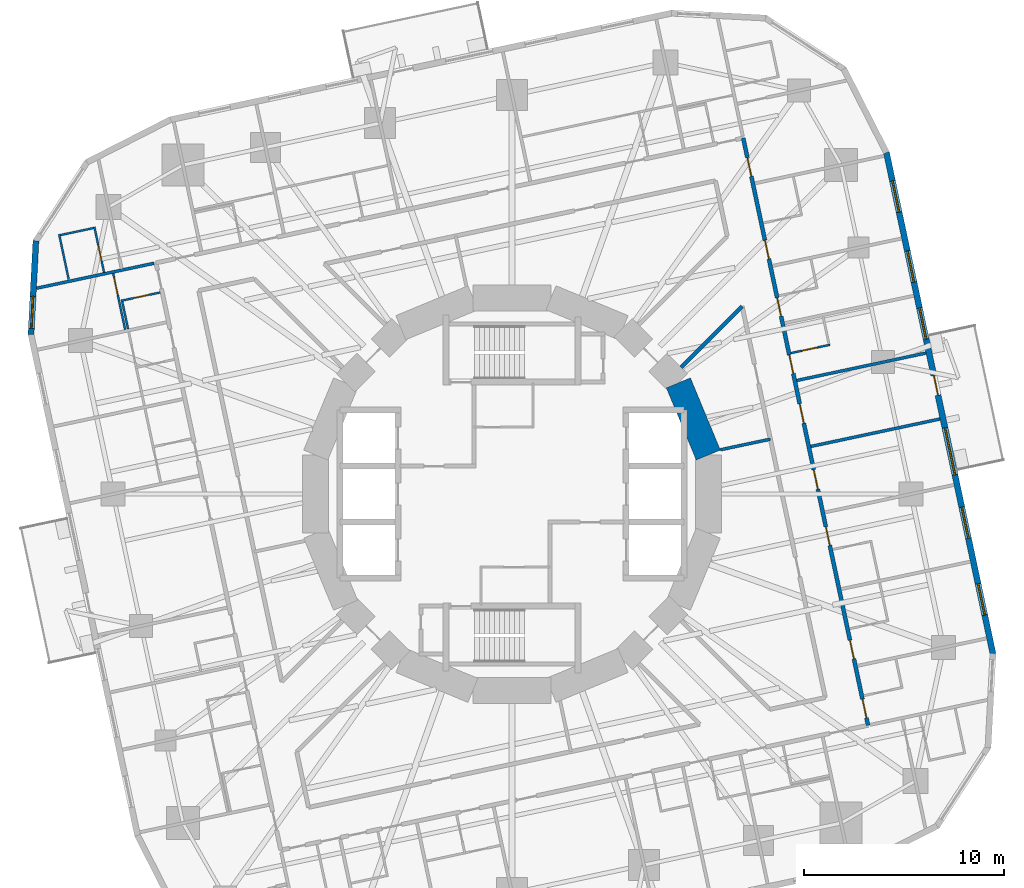
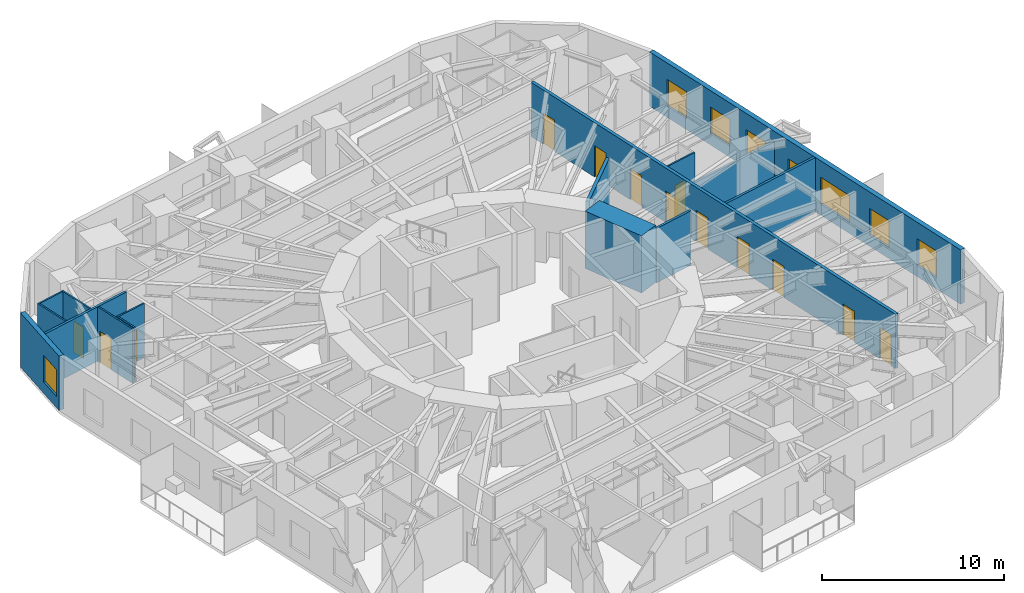
# One storey, part 9 of 14: 16 walls, 14 doors, 7 windows, 21 openings.
"""IFC4 building model written with IfcOpenShell, lengths in metres."""

from ifc_helpers import new_model, si_unit, direction, frame, frame_2d, origin, place, context, subcontext, project, spatial, rectangle, extrude, material, layer, layer_set, type_object, element, fill, save


model = new_model("IFC4")

# Units and contexts
model_context = context("Model", 3, precision=1e-05, world=origin(), true_north=direction((0.0, 1.0)))
body_context = subcontext(model_context, "Body", "Model", "MODEL_VIEW")
ifc_project = project(units=[si_unit("LENGTHUNIT", "METRE"), si_unit("AREAUNIT", "SQUARE_METRE"), si_unit("VOLUMEUNIT", "CUBIC_METRE"), si_unit("PLANEANGLEUNIT", "RADIAN"), si_unit("MASSUNIT", "GRAM", prefix="KILO")], contexts=[model_context])

# Site, building, storey
site_placement = place(None, origin())
site = spatial("IfcSite", under=ifc_project, at=site_placement, CompositionType="ELEMENT")
building_placement = place(site_placement, origin())
building = spatial("IfcBuilding", under=site, at=building_placement, Name="Nakasero Lantern House", CompositionType="ELEMENT")
storey_placement = place(building_placement, frame((0.0, 0.0, 120.39990234375)))
storey = spatial("IfcBuildingStorey", under=building, at=storey_placement, Name="L29", CompositionType="ELEMENT", Elevation=120.39990234375)

# Wall
ifc_material_1 = material(Name="Concrete C50/60", Category="concrete")
ifc_layer_1 = layer(ifc_material_1, 1.300048828125)
ifc_layer_set_1 = layer_set([ifc_layer_1], Name="Core wall 1300")
wall_type_1 = type_object("IfcWallType", Name="Core wall 1300", PredefinedType="SHEAR", material=ifc_layer_set_1)
wall_1_placement = place(storey_placement, frame((9.807861328125, 1.950927734375, 0.0), z_axis=(0.0, 0.0, 1.0), x_axis=(-0.382690736062, 0.923876507187, 0.0)))
element("IfcWall", 1, at=wall_1_placement, inside=storey, type_object=wall_type_1, Name="Core wall L29 facet 1", PredefinedType="SHEAR", context=body_context, shape_type="SweptSolid", body=[
    extrude(rectangle(XDim=3.90185546875, YDim=1.300048828125, at=frame_2d((1.950927734375, 0.0))), origin(), (0.0, 0.0, 1.0), 3.85009765625),
])

# Wall, openings, doors
ifc_material_2 = material(Name="Blockwork", Category="masonry")
ifc_layer_2 = layer(ifc_material_2, 0.199951171875)
ifc_layer_set_2 = layer_set([ifc_layer_2], Name="Corridor wall 200")
wall_type_2 = type_object("IfcWallType", Name="Corridor wall 200", PredefinedType="PARTITIONING", material=ifc_layer_set_2)
wall_2_placement = place(storey_placement, frame((17.790771484375, -11.553466796875, 0.0), z_axis=(0.0, 0.0, 1.0), x_axis=(-0.207911508826, 0.978147639417, 0.0)))
wall_2 = element("IfcWall", 2, at=wall_2_placement, inside=storey, type_object=wall_type_2, Name="Corridor wall L29 CW0", PredefinedType="PARTITIONING", context=body_context, shape_type="SweptSolid", body=[
    extrude(rectangle(XDim=29.999755859375, YDim=0.199951171875, at=frame_2d((15.0, 0.0))), origin(), (0.0, 0.0, 1.0), 3.650146484375),
])
opening_1_placement = place(wall_2_placement, frame((0.375, 0.0, 0.0)))
opening_1 = element("IfcOpeningElement", 3, at=opening_1_placement, cuts=wall_2, Name="Opening D01", PredefinedType="OPENING", context=body_context, shape_type="SweptSolid", body=[
    extrude(rectangle(XDim=0.949951171875, YDim=2.10009765625, at=frame_2d((0.47509765625, 1.050048828125))), frame((0.0, 0.119873046875, 0.0), z_axis=(0.0, -1.0, 0.0), x_axis=(1.0, 0.0, 0.0)), (0.0, 0.0, 1.0), 0.239990234375),
])
opening_2_placement = place(wall_2_placement, frame((3.39111328125, 0.0, 0.0)))
opening_2 = element("IfcOpeningElement", 4, at=opening_2_placement, cuts=wall_2, Name="Opening D01", PredefinedType="OPENING", context=body_context, shape_type="SweptSolid", body=[
    extrude(rectangle(XDim=0.949951171875, YDim=2.10009765625, at=frame_2d((0.47509765625, 1.050048828125))), frame((0.0, 0.119873046875, 0.0), z_axis=(0.0, -1.0, 0.0), x_axis=(1.0, 0.0, 0.0)), (0.0, 0.0, 1.0), 0.239990234375),
])
opening_3_placement = place(wall_2_placement, frame((9.185546875, 0.0, 0.0)))
opening_3 = element("IfcOpeningElement", 5, at=opening_3_placement, cuts=wall_2, Name="Opening D01", PredefinedType="OPENING", context=body_context, shape_type="SweptSolid", body=[
    extrude(rectangle(XDim=0.949951171875, YDim=2.10009765625, at=frame_2d((0.47509765625, 1.050048828125))), frame((0.0, 0.119873046875, 0.0), z_axis=(0.0, -1.0, 0.0), x_axis=(1.0, 0.0, 0.0)), (0.0, 0.0, 1.0), 0.239990234375),
])
opening_4_placement = place(wall_2_placement, frame((17.967529296875, 0.0, 0.0)))
opening_4 = element("IfcOpeningElement", 6, at=opening_4_placement, cuts=wall_2, Name="Opening D01", PredefinedType="OPENING", context=body_context, shape_type="SweptSolid", body=[
    extrude(rectangle(XDim=0.949951171875, YDim=2.10009765625, at=frame_2d((0.47509765625, 1.050048828125))), frame((0.0, 0.119873046875, 0.0), z_axis=(0.0, -1.0, 0.0), x_axis=(1.0, 0.0, 0.0)), (0.0, 0.0, 1.0), 0.239990234375),
])
opening_5_placement = place(wall_2_placement, frame((20.89404296875, 0.0, 0.0)))
opening_5 = element("IfcOpeningElement", 7, at=opening_5_placement, cuts=wall_2, Name="Opening D01", PredefinedType="OPENING", context=body_context, shape_type="SweptSolid", body=[
    extrude(rectangle(XDim=0.949951171875, YDim=2.10009765625, at=frame_2d((0.47509765625, 1.050048828125))), frame((0.0, 0.119873046875, 0.0), z_axis=(0.0, -1.0, 0.0), x_axis=(1.0, 0.0, 0.0)), (0.0, 0.0, 1.0), 0.239990234375),
])
opening_6_placement = place(wall_2_placement, frame((23.8203125, 0.0, 0.0)))
opening_6 = element("IfcOpeningElement", 8, at=opening_6_placement, cuts=wall_2, Name="Opening D01", PredefinedType="OPENING", context=body_context, shape_type="SweptSolid", body=[
    extrude(rectangle(XDim=0.949951171875, YDim=2.10009765625, at=frame_2d((0.47509765625, 1.050048828125))), frame((0.0, 0.119873046875, 0.0), z_axis=(0.0, -1.0, 0.0), x_axis=(1.0, 0.0, 0.0)), (0.0, 0.0, 1.0), 0.239990234375),
])
opening_7_placement = place(wall_2_placement, frame((28.038330078125, 0.0, 0.0)))
opening_7 = element("IfcOpeningElement", 9, at=opening_7_placement, cuts=wall_2, Name="Opening D01", PredefinedType="OPENING", context=body_context, shape_type="SweptSolid", body=[
    extrude(rectangle(XDim=0.949951171875, YDim=2.10009765625, at=frame_2d((0.47509765625, 1.050048828125))), frame((0.0, 0.119873046875, 0.0), z_axis=(0.0, -1.0, 0.0), x_axis=(1.0, 0.0, 0.0)), (0.0, 0.0, 1.0), 0.239990234375),
])
opening_8_placement = place(wall_2_placement, frame((12.05517578125, 0.0, 0.0)))
opening_8 = element("IfcOpeningElement", 10, at=opening_8_placement, cuts=wall_2, Name="Opening D03", PredefinedType="OPENING", context=body_context, shape_type="SweptSolid", body=[
    extrude(rectangle(XDim=1.0, YDim=2.10009765625, at=frame_2d((0.5, 1.050048828125))), frame((0.0, 0.119873046875, 0.0), z_axis=(0.0, -1.0, 0.0), x_axis=(1.0, 0.0, 0.0)), (0.0, 0.0, 1.0), 0.239990234375),
])
opening_9_placement = place(wall_2_placement, frame((15.423828125, 0.0, 0.0)))
opening_9 = element("IfcOpeningElement", 11, at=opening_9_placement, cuts=wall_2, Name="Opening D03", PredefinedType="OPENING", context=body_context, shape_type="SweptSolid", body=[
    extrude(rectangle(XDim=1.0, YDim=2.10009765625, at=frame_2d((0.5, 1.050048828125))), frame((0.0, 0.119873046875, 0.0), z_axis=(0.0, -1.0, 0.0), x_axis=(1.0, 0.0, 0.0)), (0.0, 0.0, 1.0), 0.239990234375),
])
ifc_material_3 = material(Name="Timber C24", Category="wood")
door_type_1 = type_object("IfcDoorType", Name="Bedroom door FD30S 950", OperationType="SINGLE_SWING_LEFT", PredefinedType="DOOR", material=ifc_material_3)
door_1_placement = place(opening_1_placement, origin())
door_1 = element("IfcDoor", 12, at=door_1_placement, inside=storey, type_object=door_type_1, Name="Door L29 D0-00", OperationType="SINGLE_SWING_LEFT", OverallHeight=2.10009765625, OverallWidth=0.949951171875, PredefinedType="DOOR", context=body_context, shape_type="SweptSolid", body=[
    extrude(rectangle(XDim=0.949951171875, YDim=2.10009765625, at=frame_2d((0.47509765625, 1.050048828125))), frame((0.0, 0.02490234375, 0.0), z_axis=(0.0, -1.0, 0.0), x_axis=(1.0, 0.0, 0.0)), (0.0, 0.0, 1.0), 0.050048828125),
])
fill(opening_1, door_1)
door_2_placement = place(opening_2_placement, origin())
door_2 = element("IfcDoor", 13, at=door_2_placement, inside=storey, type_object=door_type_1, Name="Door L29 D0-01", OperationType="SINGLE_SWING_LEFT", OverallHeight=2.10009765625, OverallWidth=0.949951171875, PredefinedType="DOOR", context=body_context, shape_type="SweptSolid", body=[
    extrude(rectangle(XDim=0.949951171875, YDim=2.10009765625, at=frame_2d((0.47509765625, 1.050048828125))), frame((0.0, 0.02490234375, 0.0), z_axis=(0.0, -1.0, 0.0), x_axis=(1.0, 0.0, 0.0)), (0.0, 0.0, 1.0), 0.050048828125),
])
fill(opening_2, door_2)
door_3_placement = place(opening_3_placement, origin())
door_3 = element("IfcDoor", 14, at=door_3_placement, inside=storey, type_object=door_type_1, Name="Door L29 D0-02", OperationType="SINGLE_SWING_LEFT", OverallHeight=2.10009765625, OverallWidth=0.949951171875, PredefinedType="DOOR", context=body_context, shape_type="SweptSolid", body=[
    extrude(rectangle(XDim=0.949951171875, YDim=2.10009765625, at=frame_2d((0.47509765625, 1.050048828125))), frame((0.0, 0.02490234375, 0.0), z_axis=(0.0, -1.0, 0.0), x_axis=(1.0, 0.0, 0.0)), (0.0, 0.0, 1.0), 0.050048828125),
])
fill(opening_3, door_3)
door_4_placement = place(opening_4_placement, origin())
door_4 = element("IfcDoor", 15, at=door_4_placement, inside=storey, type_object=door_type_1, Name="Door L29 D0-05", OperationType="SINGLE_SWING_RIGHT", OverallHeight=2.10009765625, OverallWidth=0.949951171875, PredefinedType="DOOR", context=body_context, shape_type="SweptSolid", body=[
    extrude(rectangle(XDim=0.949951171875, YDim=2.10009765625, at=frame_2d((0.47509765625, 1.050048828125))), frame((0.0, 0.02490234375, 0.0), z_axis=(0.0, -1.0, 0.0), x_axis=(1.0, 0.0, 0.0)), (0.0, 0.0, 1.0), 0.050048828125),
])
fill(opening_4, door_4)
door_5_placement = place(opening_5_placement, origin())
door_5 = element("IfcDoor", 16, at=door_5_placement, inside=storey, type_object=door_type_1, Name="Door L29 D0-06", OperationType="SINGLE_SWING_RIGHT", OverallHeight=2.10009765625, OverallWidth=0.949951171875, PredefinedType="DOOR", context=body_context, shape_type="SweptSolid", body=[
    extrude(rectangle(XDim=0.949951171875, YDim=2.10009765625, at=frame_2d((0.47509765625, 1.050048828125))), frame((0.0, 0.02490234375, 0.0), z_axis=(0.0, -1.0, 0.0), x_axis=(1.0, 0.0, 0.0)), (0.0, 0.0, 1.0), 0.050048828125),
])
fill(opening_5, door_5)
door_6_placement = place(opening_6_placement, origin())
door_6 = element("IfcDoor", 17, at=door_6_placement, inside=storey, type_object=door_type_1, Name="Door L29 D0-07", OperationType="SINGLE_SWING_RIGHT", OverallHeight=2.10009765625, OverallWidth=0.949951171875, PredefinedType="DOOR", context=body_context, shape_type="SweptSolid", body=[
    extrude(rectangle(XDim=0.949951171875, YDim=2.10009765625, at=frame_2d((0.47509765625, 1.050048828125))), frame((0.0, 0.02490234375, 0.0), z_axis=(0.0, -1.0, 0.0), x_axis=(1.0, 0.0, 0.0)), (0.0, 0.0, 1.0), 0.050048828125),
])
fill(opening_6, door_6)
door_7_placement = place(opening_7_placement, origin())
door_7 = element("IfcDoor", 18, at=door_7_placement, inside=storey, type_object=door_type_1, Name="Door L29 D0-08", OperationType="SINGLE_SWING_RIGHT", OverallHeight=2.10009765625, OverallWidth=0.949951171875, PredefinedType="DOOR", context=body_context, shape_type="SweptSolid", body=[
    extrude(rectangle(XDim=0.949951171875, YDim=2.10009765625, at=frame_2d((0.47509765625, 1.050048828125))), frame((0.0, 0.02490234375, 0.0), z_axis=(0.0, -1.0, 0.0), x_axis=(1.0, 0.0, 0.0)), (0.0, 0.0, 1.0), 0.050048828125),
])
fill(opening_7, door_7)
ifc_material_4 = material(Name="Timber C24", Category="wood")
door_type_2 = type_object("IfcDoorType", Name="Lounge door FD30S 1000", OperationType="SINGLE_SWING_LEFT", PredefinedType="DOOR", material=ifc_material_4)
door_8_placement = place(opening_8_placement, origin())
door_8 = element("IfcDoor", 19, at=door_8_placement, inside=storey, type_object=door_type_2, Name="Door L29 DK0", OperationType="SINGLE_SWING_LEFT", OverallHeight=2.10009765625, OverallWidth=1.0, PredefinedType="DOOR", context=body_context, shape_type="SweptSolid", body=[
    extrude(rectangle(XDim=1.0, YDim=2.10009765625, at=frame_2d((0.5, 1.050048828125))), frame((0.0, 0.02490234375, 0.0), z_axis=(0.0, -1.0, 0.0), x_axis=(1.0, 0.0, 0.0)), (0.0, 0.0, 1.0), 0.050048828125),
])
fill(opening_8, door_8)
door_9_placement = place(opening_9_placement, origin())
door_9 = element("IfcDoor", 20, at=door_9_placement, inside=storey, type_object=door_type_2, Name="Door L29 DK0-1", OperationType="SINGLE_SWING_RIGHT", OverallHeight=2.10009765625, OverallWidth=1.0, PredefinedType="DOOR", context=body_context, shape_type="SweptSolid", body=[
    extrude(rectangle(XDim=1.0, YDim=2.10009765625, at=frame_2d((0.5, 1.050048828125))), frame((0.0, 0.02490234375, 0.0), z_axis=(0.0, -1.0, 0.0), x_axis=(1.0, 0.0, 0.0)), (0.0, 0.0, 1.0), 0.050048828125),
])
fill(opening_9, door_9)

# Wall
wall_3_placement = place(storey_placement, frame((8.45556640625, 6.334228515625, 0.0), z_axis=(0.0, 0.0, 1.0), x_axis=(0.707106781187, 0.707106781187, 0.0)))
element("IfcWall", 21, at=wall_3_placement, inside=storey, type_object=wall_type_2, Name="Corridor wall L29 PS02b", PredefinedType="PARTITIONING", context=body_context, shape_type="SweptSolid", body=[
    extrude(rectangle(XDim=4.30712890625, YDim=0.199951171875, at=frame_2d((2.153564453125, 0.0))), origin(), (0.0, 0.0, 1.0), 3.650146484375),
])

# Wall, opening, door
ifc_material_5 = material(Name="Blockwork", Category="masonry")
ifc_layer_3 = layer(ifc_material_5, 0.10009765625)
ifc_layer_set_3 = layer_set([ifc_layer_3], Name="En-suite wall 100")
wall_type_3 = type_object("IfcWallType", Name="En-suite wall 100", PredefinedType="PARTITIONING", material=ifc_layer_set_3)
wall_4_placement = place(storey_placement, frame((13.939697265625, 7.046142578125, 0.0), z_axis=(0.0, 0.0, 1.0), x_axis=(0.978152955943, 0.207886494942, 0.0)))
wall_4 = element("IfcWall", 22, at=wall_4_placement, inside=storey, type_object=wall_type_3, Name="En-suite wall L29 ES0-05", PredefinedType="PARTITIONING", context=body_context, shape_type="SweptSolid", body=[
    extrude(rectangle(XDim=2.0, YDim=0.10009765625, at=frame_2d((1.0, 0.0))), origin(), (0.0, 0.0, 1.0), 3.650146484375),
])
opening_10_placement = place(wall_4_placement, frame((0.550048828125, 0.0, 0.0)))
opening_10 = element("IfcOpeningElement", 23, at=opening_10_placement, cuts=wall_4, Name="Opening D02", PredefinedType="OPENING", context=body_context, shape_type="SweptSolid", body=[
    extrude(rectangle(XDim=0.800048828125, YDim=2.10009765625, at=frame_2d((0.39990234375, 1.050048828125))), frame((0.0, 0.070068359375, 0.0), z_axis=(0.0, -1.0, 0.0), x_axis=(1.0, 0.0, 0.0)), (0.0, 0.0, 1.0), 0.14013671875),
])
ifc_material_6 = material(Name="Timber C24", Category="wood")
door_type_3 = type_object("IfcDoorType", Name="En-suite door 800", OperationType="SINGLE_SWING_RIGHT", PredefinedType="DOOR", material=ifc_material_6)
door_10_placement = place(opening_10_placement, origin())
door_10 = element("IfcDoor", 24, at=door_10_placement, inside=storey, type_object=door_type_3, Name="Door L29 DE0-05", OperationType="SINGLE_SWING_LEFT", OverallHeight=2.10009765625, OverallWidth=0.800048828125, PredefinedType="DOOR", context=body_context, shape_type="SweptSolid", body=[
    extrude(rectangle(XDim=0.800048828125, YDim=2.10009765625, at=frame_2d((0.39990234375, 1.050048828125))), frame((0.0, 0.02490234375, 0.0), z_axis=(0.0, -1.0, 0.0), x_axis=(1.0, 0.0, 0.0)), (0.0, 0.0, 1.0), 0.050048828125),
])
fill(opening_10, door_10)

wall_5_placement = place(storey_placement, frame((-20.382568359375, 11.069091796875, 0.0), z_axis=(0.0, 0.0, 1.0), x_axis=(-0.207965047255, 0.978136257952, 0.0)))
wall_5 = element("IfcWall", 25, at=wall_5_placement, inside=storey, type_object=wall_type_3, Name="En-suite wall L29 ES1-08", PredefinedType="PARTITIONING", context=body_context, shape_type="SweptSolid", body=[
    extrude(rectangle(XDim=2.3349609375, YDim=0.10009765625, at=frame_2d((1.16748046875, 0.0))), origin(), (0.0, 0.0, 1.0), 3.650146484375),
])
opening_11_placement = place(wall_5_placement, frame((0.5849609375, 0.0, 0.0)))
opening_11 = element("IfcOpeningElement", 26, at=opening_11_placement, cuts=wall_5, Name="Opening D02", PredefinedType="OPENING", context=body_context, shape_type="SweptSolid", body=[
    extrude(rectangle(XDim=0.800048828125, YDim=2.10009765625, at=frame_2d((0.39990234375, 1.050048828125))), frame((0.0, 0.070068359375, 0.0), z_axis=(0.0, -1.0, 0.0), x_axis=(1.0, 0.0, 0.0)), (0.0, 0.0, 1.0), 0.14013671875),
])
door_11_placement = place(opening_11_placement, origin())
door_11 = element("IfcDoor", 27, at=door_11_placement, inside=storey, type_object=door_type_3, Name="Door L29 DE1-08", OperationType="SINGLE_SWING_LEFT", OverallHeight=2.10009765625, OverallWidth=0.800048828125, PredefinedType="DOOR", context=body_context, shape_type="SweptSolid", body=[
    extrude(rectangle(XDim=0.800048828125, YDim=2.10009765625, at=frame_2d((0.39990234375, 1.050048828125))), frame((0.0, 0.02490234375, 0.0), z_axis=(0.0, -1.0, 0.0), x_axis=(1.0, 0.0, 0.0)), (0.0, 0.0, 1.0), 0.050048828125),
])
fill(opening_11, door_11)

# Walls
wall_6_placement = place(storey_placement, frame((-20.906494140625, 13.293701171875, 0.0), z_axis=(0.0, 0.0, 1.0), x_axis=(-0.978168704767, -0.207812379357, 0.0)))
element("IfcWall", 28, at=wall_6_placement, inside=storey, type_object=wall_type_3, Name="En-suite wall L29 EE1-08", PredefinedType="PARTITIONING", context=body_context, shape_type="SweptSolid", body=[
    extrude(rectangle(XDim=1.699951171875, YDim=0.10009765625, at=frame_2d((0.85009765625, 0.0))), origin(), (0.0, 0.0, 1.0), 3.650146484375),
])
wall_7_placement = place(storey_placement, frame((-22.150634765625, 10.72900390625, 0.0), z_axis=(0.0, 0.0, 1.0), x_axis=(-0.207839712757, 0.978162897375, 0.0)))
element("IfcWall", 29, at=wall_7_placement, inside=storey, type_object=wall_type_3, Name="En-suite wall L29 EV1-08", PredefinedType="PARTITIONING", context=body_context, shape_type="SweptSolid", body=[
    extrude(rectangle(XDim=2.300048828125, YDim=0.10009765625, at=frame_2d((1.14990234375, 0.0))), origin(), (0.0, 0.0, 1.0), 3.650146484375),
])

# Wall, opening, door
wall_8_placement = place(storey_placement, frame((-17.57861328125, 10.07421875, 0.0), z_axis=(0.0, 0.0, 1.0), x_axis=(-0.978152955943, -0.207886494942, 0.0)))
wall_8 = element("IfcWall", 30, at=wall_8_placement, inside=storey, type_object=wall_type_3, Name="En-suite wall L29 ES2-00", PredefinedType="PARTITIONING", context=body_context, shape_type="SweptSolid", body=[
    extrude(rectangle(XDim=2.0, YDim=0.10009765625, at=frame_2d((1.0, 0.0))), origin(), (0.0, 0.0, 1.0), 3.650146484375),
])
opening_12_placement = place(wall_8_placement, frame((0.550048828125, 0.0, 0.0)))
opening_12 = element("IfcOpeningElement", 31, at=opening_12_placement, cuts=wall_8, Name="Opening D02", PredefinedType="OPENING", context=body_context, shape_type="SweptSolid", body=[
    extrude(rectangle(XDim=0.800048828125, YDim=2.10009765625, at=frame_2d((0.39990234375, 1.050048828125))), frame((0.0, 0.070068359375, 0.0), z_axis=(0.0, -1.0, 0.0), x_axis=(1.0, 0.0, 0.0)), (0.0, 0.0, 1.0), 0.14013671875),
])
door_12_placement = place(opening_12_placement, origin())
door_12 = element("IfcDoor", 32, at=door_12_placement, inside=storey, type_object=door_type_3, Name="Door L29 DE2-00", OperationType="SINGLE_SWING_LEFT", OverallHeight=2.10009765625, OverallWidth=0.800048828125, PredefinedType="DOOR", context=body_context, shape_type="SweptSolid", body=[
    extrude(rectangle(XDim=0.800048828125, YDim=2.10009765625, at=frame_2d((0.39990234375, 1.050048828125))), frame((0.0, 0.02490234375, 0.0), z_axis=(0.0, -1.0, 0.0), x_axis=(1.0, 0.0, 0.0)), (0.0, 0.0, 1.0), 0.050048828125),
])
fill(opening_12, door_12)

# Wall
wall_9_placement = place(storey_placement, frame((-19.4755859375, 9.619873046875, 0.0), z_axis=(0.0, 0.0, 1.0), x_axis=(0.207873355681, -0.978155748334, 0.0)))
element("IfcWall", 33, at=wall_9_placement, inside=storey, type_object=wall_type_3, Name="En-suite wall L29 EE2-00", PredefinedType="PARTITIONING", context=body_context, shape_type="SweptSolid", body=[
    extrude(rectangle(XDim=1.39990234375, YDim=0.10009765625, at=frame_2d((0.699951171875, 0.0))), origin(), (0.0, 0.0, 1.0), 3.650146484375),
])

# Wall, opening, door
wall_10_placement = place(storey_placement, frame((-19.92724609375, 11.022705078125, 0.0), z_axis=(0.0, 0.0, 1.0), x_axis=(0.207929050419, -0.978143910676, 0.0)))
wall_10 = element("IfcWall", 34, at=wall_10_placement, inside=storey, type_object=wall_type_3, Name="En-suite wall L29 EL2-00", PredefinedType="PARTITIONING", context=body_context, shape_type="SweptSolid", body=[
    extrude(rectangle(XDim=2.8662109375, YDim=0.10009765625, at=frame_2d((1.43310546875, 0.0))), origin(), (0.0, 0.0, 1.0), 3.650146484375),
])
opening_13_placement = place(wall_10_placement, frame((0.199951171875, 0.0, 0.0)))
opening_13 = element("IfcOpeningElement", 35, at=opening_13_placement, cuts=wall_10, Name="Opening D17", PredefinedType="OPENING", context=body_context, shape_type="SweptSolid", body=[
    extrude(rectangle(XDim=0.89990234375, YDim=2.10009765625, at=frame_2d((0.449951171875, 1.050048828125))), frame((0.0, 0.070068359375, 0.0), z_axis=(0.0, -1.0, 0.0), x_axis=(1.0, 0.0, 0.0)), (0.0, 0.0, 1.0), 0.14013671875),
])
ifc_material_7 = material(Name="Timber C24", Category="wood")
door_type_4 = type_object("IfcDoorType", Name="Bedroom door FD30S 900", OperationType="SINGLE_SWING_LEFT", PredefinedType="DOOR", material=ifc_material_7)
door_13_placement = place(opening_13_placement, origin())
door_13 = element("IfcDoor", 36, at=door_13_placement, inside=storey, type_object=door_type_4, Name="Door L29 DL2-00", OperationType="SINGLE_SWING_LEFT", OverallHeight=2.10009765625, OverallWidth=0.89990234375, PredefinedType="DOOR", context=body_context, shape_type="SweptSolid", body=[
    extrude(rectangle(XDim=0.89990234375, YDim=2.10009765625, at=frame_2d((0.449951171875, 1.050048828125))), frame((0.0, 0.02490234375, 0.0), z_axis=(0.0, -1.0, 0.0), x_axis=(1.0, 0.0, 0.0)), (0.0, 0.0, 1.0), 0.050048828125),
])
fill(opening_13, door_13)

# Wall, openings, door, windows
ifc_material_8 = material(Name="Aluminium rainscreen on blockwork", Category="masonry")
ifc_layer_4 = layer(ifc_material_8, 0.300048828125)
ifc_layer_set_4 = layer_set([ifc_layer_4], Name="Facade wall 300")
wall_type_4 = type_object("IfcWallType", Name="Facade wall 300", PredefinedType="SOLIDWALL", material=ifc_layer_set_4)
wall_11_placement = place(storey_placement, frame((24.03369140625, -7.9775390625, 0.0), z_axis=(0.0, 0.0, 1.0), x_axis=(-0.207909055127, 0.978148160964, 0.0)))
wall_11 = element("IfcWall", 37, at=wall_11_placement, inside=storey, type_object=wall_type_4, Name="Facade wall L29 FW0S", PredefinedType="SOLIDWALL", context=body_context, shape_type="SweptSolid", body=[
    extrude(rectangle(XDim=25.60009765625, YDim=0.300048828125, at=frame_2d((12.800048828125, 0.0))), origin(), (0.0, 0.0, 1.0), 3.650146484375),
])
opening_14_placement = place(wall_11_placement, frame((1.975830078125, 0.0, 0.75)))
opening_14 = element("IfcOpeningElement", 38, at=opening_14_placement, cuts=wall_11, Name="Opening W01", PredefinedType="OPENING", context=body_context, shape_type="SweptSolid", body=[
    extrude(rectangle(XDim=1.60009765625, YDim=1.800048828125, at=frame_2d((0.800048828125, 0.89990234375))), frame((0.0, 0.169921875, 0.0), z_axis=(0.0, -1.0, 0.0), x_axis=(1.0, 0.0, 0.0)), (0.0, 0.0, 1.0), 0.340087890625),
])
opening_15_placement = place(wall_11_placement, frame((5.8955078125, 0.0, 0.75)))
opening_15 = element("IfcOpeningElement", 39, at=opening_15_placement, cuts=wall_11, Name="Opening W01", PredefinedType="OPENING", context=body_context, shape_type="SweptSolid", body=[
    extrude(rectangle(XDim=1.60009765625, YDim=1.800048828125, at=frame_2d((0.800048828125, 0.89990234375))), frame((0.0, 0.169921875, 0.0), z_axis=(0.0, -1.0, 0.0), x_axis=(1.0, 0.0, 0.0)), (0.0, 0.0, 1.0), 0.340087890625),
])
opening_16_placement = place(wall_11_placement, frame((16.0556640625, 0.0, 0.75)))
opening_16 = element("IfcOpeningElement", 40, at=opening_16_placement, cuts=wall_11, Name="Opening W01", PredefinedType="OPENING", context=body_context, shape_type="SweptSolid", body=[
    extrude(rectangle(XDim=1.60009765625, YDim=1.800048828125, at=frame_2d((0.800048828125, 0.89990234375))), frame((0.0, 0.169921875, 0.0), z_axis=(0.0, -1.0, 0.0), x_axis=(1.0, 0.0, 0.0)), (0.0, 0.0, 1.0), 0.340087890625),
])
opening_17_placement = place(wall_11_placement, frame((18.982177734375, 0.0, 0.75)))
opening_17 = element("IfcOpeningElement", 41, at=opening_17_placement, cuts=wall_11, Name="Opening W01", PredefinedType="OPENING", context=body_context, shape_type="SweptSolid", body=[
    extrude(rectangle(XDim=1.60009765625, YDim=1.800048828125, at=frame_2d((0.800048828125, 0.89990234375))), frame((0.0, 0.169921875, 0.0), z_axis=(0.0, -1.0, 0.0), x_axis=(1.0, 0.0, 0.0)), (0.0, 0.0, 1.0), 0.340087890625),
])
opening_18_placement = place(wall_11_placement, frame((22.554443359375, 0.0, 0.75)))
opening_18 = element("IfcOpeningElement", 42, at=opening_18_placement, cuts=wall_11, Name="Opening W01", PredefinedType="OPENING", context=body_context, shape_type="SweptSolid", body=[
    extrude(rectangle(XDim=1.60009765625, YDim=1.800048828125, at=frame_2d((0.800048828125, 0.89990234375))), frame((0.0, 0.169921875, 0.0), z_axis=(0.0, -1.0, 0.0), x_axis=(1.0, 0.0, 0.0)), (0.0, 0.0, 1.0), 0.340087890625),
])
opening_19_placement = place(wall_11_placement, frame((9.139404296875, 0.0, 0.75)))
opening_19 = element("IfcOpeningElement", 43, at=opening_19_placement, cuts=wall_11, Name="Opening W03", PredefinedType="OPENING", context=body_context, shape_type="SweptSolid", body=[
    extrude(rectangle(XDim=2.39990234375, YDim=1.800048828125, at=frame_2d((1.199951171875, 0.89990234375))), frame((0.0, 0.169921875, 0.0), z_axis=(0.0, -1.0, 0.0), x_axis=(1.0, 0.0, 0.0)), (0.0, 0.0, 1.0), 0.340087890625),
])
opening_20_placement = place(wall_11_placement, frame((13.208251953125, 0.0, 0.0)))
opening_20 = element("IfcOpeningElement", 44, at=opening_20_placement, cuts=wall_11, Name="Opening D04", PredefinedType="OPENING", context=body_context, shape_type="SweptSolid", body=[
    extrude(rectangle(XDim=1.0, YDim=2.39990234375, at=frame_2d((0.5, 1.199951171875))), frame((0.0, 0.169921875, 0.0), z_axis=(0.0, -1.0, 0.0), x_axis=(1.0, 0.0, 0.0)), (0.0, 0.0, 1.0), 0.340087890625),
])
ifc_material_9 = material(Name="Aluminium 6063-T6 and glass", Category="aluminium")
door_type_5 = type_object("IfcDoorType", Name="Balcony door 1000x2400", OperationType="SINGLE_SWING_RIGHT", PredefinedType="DOOR", material=ifc_material_9)
door_14_placement = place(opening_20_placement, origin())
door_14 = element("IfcDoor", 45, at=door_14_placement, inside=storey, type_object=door_type_5, Name="Balcony door L29 DB0", OperationType="SINGLE_SWING_RIGHT", OverallHeight=2.39990234375, OverallWidth=1.0, PredefinedType="DOOR", context=body_context, shape_type="SweptSolid", body=[
    extrude(rectangle(XDim=1.0, YDim=2.39990234375, at=frame_2d((0.5, 1.199951171875))), frame((0.0, 0.02490234375, 0.0), z_axis=(0.0, -1.0, 0.0), x_axis=(1.0, 0.0, 0.0)), (0.0, 0.0, 1.0), 0.050048828125),
])
fill(opening_20, door_14)
ifc_material_10 = material(Name="Aluminium 6063-T6 and glass", Category="aluminium")
window_type_1 = type_object("IfcWindowType", Name="Bedroom window 1600x1800", PartitioningType="SINGLE_PANEL", PredefinedType="WINDOW", material=ifc_material_10)
window_1_placement = place(opening_14_placement, origin())
window_1 = element("IfcWindow", 46, at=window_1_placement, inside=storey, type_object=window_type_1, Name="Window L29 WN0-01", OverallHeight=1.800048828125, OverallWidth=1.60009765625, PartitioningType="SINGLE_PANEL", PredefinedType="WINDOW", context=body_context, shape_type="SweptSolid", body=[
    extrude(rectangle(XDim=1.60009765625, YDim=1.800048828125, at=frame_2d((0.800048828125, 0.89990234375))), frame((0.0, 0.030029296875, 0.0), z_axis=(0.0, -1.0, 0.0), x_axis=(1.0, 0.0, 0.0)), (0.0, 0.0, 1.0), 0.06005859375),
])
fill(opening_14, window_1)
window_2_placement = place(opening_15_placement, origin())
window_2 = element("IfcWindow", 47, at=window_2_placement, inside=storey, type_object=window_type_1, Name="Window L29 WN0-02", OverallHeight=1.800048828125, OverallWidth=1.60009765625, PartitioningType="SINGLE_PANEL", PredefinedType="WINDOW", context=body_context, shape_type="SweptSolid", body=[
    extrude(rectangle(XDim=1.60009765625, YDim=1.800048828125, at=frame_2d((0.800048828125, 0.89990234375))), frame((0.0, 0.030029296875, 0.0), z_axis=(0.0, -1.0, 0.0), x_axis=(1.0, 0.0, 0.0)), (0.0, 0.0, 1.0), 0.06005859375),
])
fill(opening_15, window_2)
window_3_placement = place(opening_16_placement, origin())
window_3 = element("IfcWindow", 48, at=window_3_placement, inside=storey, type_object=window_type_1, Name="Window L29 WN0-05", OverallHeight=1.800048828125, OverallWidth=1.60009765625, PartitioningType="SINGLE_PANEL", PredefinedType="WINDOW", context=body_context, shape_type="SweptSolid", body=[
    extrude(rectangle(XDim=1.60009765625, YDim=1.800048828125, at=frame_2d((0.800048828125, 0.89990234375))), frame((0.0, 0.030029296875, 0.0), z_axis=(0.0, -1.0, 0.0), x_axis=(1.0, 0.0, 0.0)), (0.0, 0.0, 1.0), 0.06005859375),
])
fill(opening_16, window_3)
window_4_placement = place(opening_17_placement, origin())
window_4 = element("IfcWindow", 49, at=window_4_placement, inside=storey, type_object=window_type_1, Name="Window L29 WN0-06", OverallHeight=1.800048828125, OverallWidth=1.60009765625, PartitioningType="SINGLE_PANEL", PredefinedType="WINDOW", context=body_context, shape_type="SweptSolid", body=[
    extrude(rectangle(XDim=1.60009765625, YDim=1.800048828125, at=frame_2d((0.800048828125, 0.89990234375))), frame((0.0, 0.030029296875, 0.0), z_axis=(0.0, -1.0, 0.0), x_axis=(1.0, 0.0, 0.0)), (0.0, 0.0, 1.0), 0.06005859375),
])
fill(opening_17, window_4)
window_5_placement = place(opening_18_placement, origin())
window_5 = element("IfcWindow", 50, at=window_5_placement, inside=storey, type_object=window_type_1, Name="Window L29 WN0-07", OverallHeight=1.800048828125, OverallWidth=1.60009765625, PartitioningType="SINGLE_PANEL", PredefinedType="WINDOW", context=body_context, shape_type="SweptSolid", body=[
    extrude(rectangle(XDim=1.60009765625, YDim=1.800048828125, at=frame_2d((0.800048828125, 0.89990234375))), frame((0.0, 0.030029296875, 0.0), z_axis=(0.0, -1.0, 0.0), x_axis=(1.0, 0.0, 0.0)), (0.0, 0.0, 1.0), 0.06005859375),
])
fill(opening_18, window_5)
ifc_material_11 = material(Name="Aluminium 6063-T6 and glass", Category="aluminium")
window_type_2 = type_object("IfcWindowType", Name="Lounge window 2400x1800", PartitioningType="SINGLE_PANEL", PredefinedType="WINDOW", material=ifc_material_11)
window_6_placement = place(opening_19_placement, origin())
window_6 = element("IfcWindow", 51, at=window_6_placement, inside=storey, type_object=window_type_2, Name="Window L29 WK0", OverallHeight=1.800048828125, OverallWidth=2.39990234375, PartitioningType="SINGLE_PANEL", PredefinedType="WINDOW", context=body_context, shape_type="SweptSolid", body=[
    extrude(rectangle(XDim=2.39990234375, YDim=1.800048828125, at=frame_2d((1.199951171875, 0.89990234375))), frame((0.0, 0.030029296875, 0.0), z_axis=(0.0, -1.0, 0.0), x_axis=(1.0, 0.0, 0.0)), (0.0, 0.0, 1.0), 0.06005859375),
])
fill(opening_19, window_6)

# Wall, opening, window
wall_12_placement = place(storey_placement, frame((-23.78857421875, 12.655517578125, 0.0), z_axis=(0.0, 0.0, 1.0), x_axis=(-0.052326317, -0.998630039879, 0.0)))
wall_12 = element("IfcWall", 52, at=wall_12_placement, inside=storey, type_object=wall_type_4, Name="Facade wall L29 FW1C3", PredefinedType="SOLIDWALL", context=body_context, shape_type="SweptSolid", body=[
    extrude(rectangle(XDim=4.684326171875, YDim=0.300048828125, at=frame_2d((2.34228515625, 0.0))), origin(), (0.0, 0.0, 1.0), 3.650146484375),
])
opening_21_placement = place(wall_12_placement, frame((2.784912109375, 0.0, 0.75)))
opening_21 = element("IfcOpeningElement", 53, at=opening_21_placement, cuts=wall_12, Name="Opening W01", PredefinedType="OPENING", context=body_context, shape_type="SweptSolid", body=[
    extrude(rectangle(XDim=1.60009765625, YDim=1.800048828125, at=frame_2d((0.800048828125, 0.89990234375))), frame((0.0, 0.169921875, 0.0), z_axis=(0.0, -1.0, 0.0), x_axis=(1.0, 0.0, 0.0)), (0.0, 0.0, 1.0), 0.340087890625),
])
window_7_placement = place(opening_21_placement, origin())
window_7 = element("IfcWindow", 54, at=window_7_placement, inside=storey, type_object=window_type_1, Name="Window L29 WN2-00", OverallHeight=1.800048828125, OverallWidth=1.60009765625, PartitioningType="SINGLE_PANEL", PredefinedType="WINDOW", context=body_context, shape_type="SweptSolid", body=[
    extrude(rectangle(XDim=1.60009765625, YDim=1.800048828125, at=frame_2d((0.800048828125, 0.89990234375))), frame((0.0, 0.030029296875, 0.0), z_axis=(0.0, -1.0, 0.0), x_axis=(1.0, 0.0, 0.0)), (0.0, 0.0, 1.0), 0.06005859375),
])
fill(opening_21, window_7)

# Walls
ifc_material_12 = material(Name="Blockwork", Category="masonry")
ifc_layer_5 = layer(ifc_material_12, 0.14990234375)
ifc_layer_set_5 = layer_set([ifc_layer_5], Name="Party wall 150")
wall_type_5 = type_object("IfcWallType", Name="Party wall 150", PredefinedType="PARTITIONING", material=ifc_layer_set_5)
wall_13_placement = place(storey_placement, frame((14.931396484375, 2.38037109375, 0.0), z_axis=(0.0, 0.0, 1.0), x_axis=(0.97815236361, 0.207889281984, 0.0)))
element("IfcWall", 55, at=wall_13_placement, inside=storey, type_object=wall_type_5, Name="Party wall L29 PW0-04", PredefinedType="PARTITIONING", context=body_context, shape_type="SweptSolid", body=[
    extrude(rectangle(XDim=6.60009765625, YDim=0.14990234375, at=frame_2d((3.300048828125, 0.0))), origin(), (0.0, 0.0, 1.0), 3.650146484375),
])
wall_14_placement = place(storey_placement, frame((14.23095703125, 5.67529296875, 0.0), z_axis=(0.0, 0.0, 1.0), x_axis=(0.978144841009, 0.207924673876, 0.0)))
element("IfcWall", 56, at=wall_14_placement, inside=storey, type_object=wall_type_5, Name="Party wall L29 PW0-05", PredefinedType="PARTITIONING", context=body_context, shape_type="SweptSolid", body=[
    extrude(rectangle(XDim=6.60009765625, YDim=0.14990234375, at=frame_2d((3.300048828125, 0.0))), origin(), (0.0, 0.0, 1.0), 2.957275390625),
])
wall_15_placement = place(storey_placement, frame((-17.888671875, 11.53271484375, 0.0), z_axis=(0.0, 0.0, 1.0), x_axis=(-0.978152955943, -0.207886494942, 0.0)))
element("IfcWall", 57, at=wall_15_placement, inside=storey, type_object=wall_type_5, Name="Party wall L29 PW2-00", PredefinedType="PARTITIONING", context=body_context, shape_type="SweptSolid", body=[
    extrude(rectangle(XDim=6.0, YDim=0.14990234375, at=frame_2d((3.0, 0.0))), origin(), (0.0, 0.0, 1.0), 3.650146484375),
])
wall_16_placement = place(storey_placement, frame((12.91162109375, 2.744384765625, 0.0), z_axis=(0.0, 0.0, 1.0), x_axis=(-0.978159092909, -0.207857617037, 0.0)))
element("IfcWall", 58, at=wall_16_placement, inside=storey, type_object=wall_type_5, Name="Party wall L29 IM0", PredefinedType="PARTITIONING", context=body_context, shape_type="SweptSolid", body=[
    extrude(rectangle(XDim=2.56396484375, YDim=0.14990234375, at=frame_2d((1.281982421875, 0.0))), origin(), (0.0, 0.0, 1.0), 3.650146484375),
])

save(model, "model.ifc")
